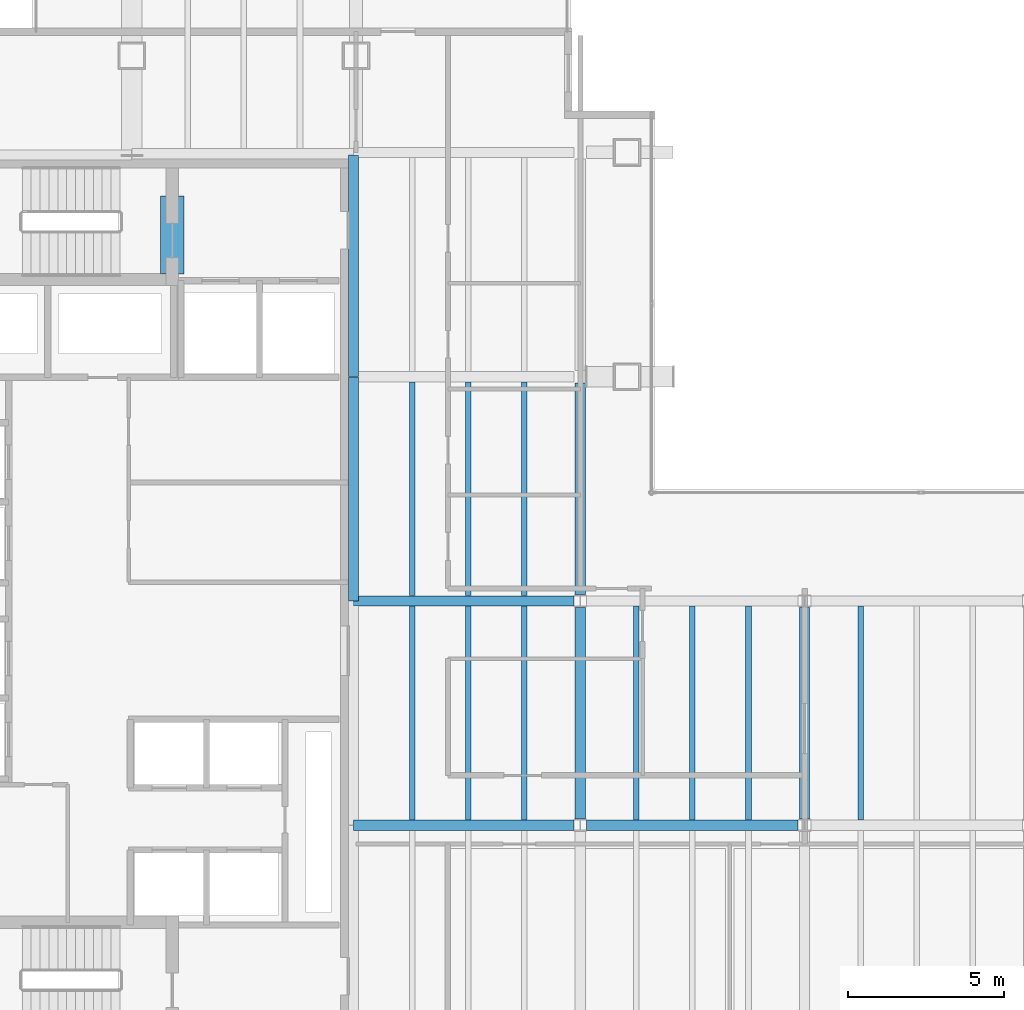
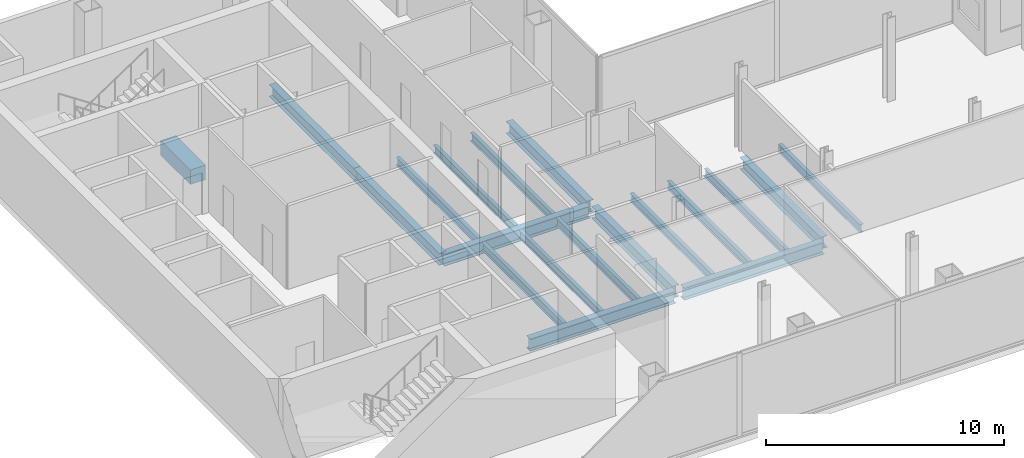
# One storey, part 5 of 20: 19 beams.
"""IFC4 building model written with IfcOpenShell, lengths in metres."""

from ifc_helpers import new_model, si_unit, direction, frame, origin, origin_2d, place, context, subcontext, project, spatial, rectangle, i_section, extrude, material, material_profile, profile_set, type_object, element, save


model = new_model("IFC4")

# Units and contexts
model_context = context("Model", 3, precision=1e-05, world=origin(), true_north=direction((0.0, 1.0)))
body_context = subcontext(model_context, "Body", "Model", "MODEL_VIEW")
ifc_project = project(units=[si_unit("LENGTHUNIT", "METRE"), si_unit("AREAUNIT", "SQUARE_METRE"), si_unit("VOLUMEUNIT", "CUBIC_METRE"), si_unit("PLANEANGLEUNIT", "RADIAN"), si_unit("MASSUNIT", "GRAM", prefix="KILO")], contexts=[model_context])

# Site, building, storey
site_placement = place(None, origin())
site = spatial("IfcSite", under=ifc_project, at=site_placement, CompositionType="ELEMENT")
building_placement = place(site_placement, origin())
building = spatial("IfcBuilding", under=site, at=building_placement, Name="Cobrela Telecom Tower", CompositionType="ELEMENT")
storey_placement = place(building_placement, frame((0.0, 0.0, 168.699951171875)))
storey = spatial("IfcBuildingStorey", under=building, at=storey_placement, Name="L42", CompositionType="ELEMENT", Elevation=168.699951171875)

# Beams
ifc_material_1 = material(Name="Concrete C40/50", Category="concrete")
ifc_material_profile_1 = material_profile(ifc_material_1, rectangle(XDim=0.75, YDim=0.75, at=origin_2d()), Name="RC 750x750")
ifc_profile_set_1 = profile_set([ifc_material_profile_1], Name="Concrete C40/50")
beam_type_1 = type_object("IfcBeamType", Name="BM-COUP-RC", PredefinedType="LINTEL", material=ifc_profile_set_1)
beam_1_placement = place(storey_placement, frame((8.5, 32.10009765625, -0.64990234375), z_axis=(0.0, 1.0, 0.0), x_axis=(-1.0, 0.0, 0.0)))
element("IfcBeam", 1, at=beam_1_placement, inside=storey, type_object=beam_type_1, Name="L42 Core Coupling Lintel Beam", PredefinedType="LINTEL", context=body_context, shape_type="SweptSolid", body=[
    extrude(rectangle(XDim=0.75, YDim=0.75, at=origin_2d()), origin(), (0.0, 0.0, 1.0), 2.5),
])
ifc_material_2 = material(Name="Steel ASTM A992 Grade 50", Category="steel")
ifc_material_profile_2 = material_profile(ifc_material_2, i_section(OverallWidth=0.327880859375, OverallDepth=0.6220703125, WebThickness=0.015380859375, FlangeThickness=0.0244140625, FilletRadius=0.014892578125, at=origin_2d()), Name="W24X131")
ifc_profile_set_2 = profile_set([ifc_material_profile_2], Name="Steel ASTM A992 Grade 50")
beam_type_2 = type_object("IfcBeamType", Name="BM-GIRD-06", PredefinedType="USERDEFINED", material=ifc_profile_set_2)
beam_2_placement = place(storey_placement, frame((14.324951171875, 14.39990234375, -0.61083984375), z_axis=(1.0, 0.0, 0.0), x_axis=(0.0, 1.0, 0.0)))
element("IfcBeam", 2, at=beam_2_placement, inside=storey, type_object=beam_type_2, Name="L42 Primary Girder X11", ObjectType="GIRDER", PredefinedType="USERDEFINED", context=body_context, shape_type="SweptSolid", body=[
    extrude(i_section(OverallWidth=0.327880859375, OverallDepth=0.6220703125, WebThickness=0.015380859375, FlangeThickness=0.0244140625, FilletRadius=0.014892578125, at=origin_2d()), origin(), (0.0, 0.0, 1.0), 7.070556640625),
])
beam_3_placement = place(storey_placement, frame((21.804443359375, 14.39990234375, -0.61083984375), z_axis=(1.0, 0.0, 0.0), x_axis=(0.0, 1.0, 0.0)))
element("IfcBeam", 3, at=beam_3_placement, inside=storey, type_object=beam_type_2, Name="L42 Primary Girder X12", ObjectType="GIRDER", PredefinedType="USERDEFINED", context=body_context, shape_type="SweptSolid", body=[
    extrude(i_section(OverallWidth=0.327880859375, OverallDepth=0.6220703125, WebThickness=0.015380859375, FlangeThickness=0.0244140625, FilletRadius=0.014892578125, at=origin_2d()), origin(), (0.0, 0.0, 1.0), 6.791015625),
])
beam_4_placement = place(storey_placement, frame((14.324951171875, 21.60009765625, -0.61083984375), z_axis=(1.0, 0.0, 0.0), x_axis=(0.0, 1.0, 0.0)))
element("IfcBeam", 4, at=beam_4_placement, inside=storey, type_object=beam_type_2, Name="L42 Primary Girder X15", ObjectType="GIRDER", PredefinedType="USERDEFINED", context=body_context, shape_type="SweptSolid", body=[
    extrude(i_section(OverallWidth=0.327880859375, OverallDepth=0.6220703125, WebThickness=0.015380859375, FlangeThickness=0.0244140625, FilletRadius=0.014892578125, at=origin_2d()), origin(), (0.0, 0.0, 1.0), 7.070556640625),
])
beam_5_placement = place(storey_placement, frame((14.320068359375, 21.60498046875, -0.61083984375), z_axis=(0.0, 1.0, 0.0), x_axis=(-1.0, 0.0, 0.0)))
element("IfcBeam", 5, at=beam_5_placement, inside=storey, type_object=beam_type_2, Name="L42 Primary Girder Y28", ObjectType="GIRDER", PredefinedType="USERDEFINED", context=body_context, shape_type="SweptSolid", body=[
    extrude(i_section(OverallWidth=0.327880859375, OverallDepth=0.6220703125, WebThickness=0.015380859375, FlangeThickness=0.0244140625, FilletRadius=0.014892578125, at=origin_2d()), origin(), (0.0, 0.0, 1.0), 7.18994140625),
])
beam_6_placement = place(storey_placement, frame((14.320068359375, 28.804931640625, -0.61083984375), z_axis=(0.0, 1.0, 0.0), x_axis=(-1.0, 0.0, 0.0)))
element("IfcBeam", 6, at=beam_6_placement, inside=storey, type_object=beam_type_2, Name="L42 Primary Girder Y29", ObjectType="GIRDER", PredefinedType="USERDEFINED", context=body_context, shape_type="SweptSolid", body=[
    extrude(i_section(OverallWidth=0.327880859375, OverallDepth=0.6220703125, WebThickness=0.015380859375, FlangeThickness=0.0244140625, FilletRadius=0.014892578125, at=origin_2d()), origin(), (0.0, 0.0, 1.0), 7.110107421875),
])
for number, where, z_axis, x_axis, name in (
    (7, (21.60009765625, 14.6044921875, -0.61083984375), (0.0, 1.0, 0.0), (-1.0, 0.0, 0.0), "L42 Primary Girder Y32"),
    (8, (21.60009765625, 21.804443359375, -0.61083984375), (0.0, 1.0, 0.0), (-1.0, 0.0, 0.0), "L42 Primary Girder Y33"),
    (9, (28.800048828125, 14.6044921875, -0.61083984375), (0.0, 1.0, 0.0), (-1.0, 0.0, 0.0), "L42 Primary Girder Y37"),
):
    element("IfcBeam", number, at=place(storey_placement, frame(where, z_axis=z_axis, x_axis=x_axis)), inside=storey, type_object=beam_type_2, Name=name, ObjectType="GIRDER", PredefinedType="USERDEFINED", context=body_context, shape_type="SweptSolid", body=[
        extrude(i_section(OverallWidth=0.327880859375, OverallDepth=0.6220703125, WebThickness=0.015380859375, FlangeThickness=0.0244140625, FilletRadius=0.014892578125, at=origin_2d()), origin(), (0.0, 0.0, 1.0), 6.791015625),
    ])
ifc_material_profile_3 = material_profile(ifc_material_2, i_section(OverallWidth=0.179931640625, OverallDepth=0.4169921875, WebThickness=0.010986328125, FlangeThickness=0.01806640625, FilletRadius=0.011962890625, at=origin_2d()), Name="W16X57")
ifc_profile_set_3 = profile_set([ifc_material_profile_3], Name="Steel ASTM A992 Grade 50")
beam_type_3 = type_object("IfcBeamType", Name="BM-JOIST-04", PredefinedType="JOIST", material=ifc_profile_set_3)
beam_7_placement = place(storey_placement, frame((16.199951171875, 14.569091796875, -0.508544921875), z_axis=(0.0, 1.0, 0.0), x_axis=(-1.0, 0.0, 0.0)))
element("IfcBeam", 10, at=beam_7_placement, inside=storey, type_object=beam_type_3, Name="L42 Secondary Composite Floor Beam J05", PredefinedType="JOIST", context=body_context, shape_type="SweptSolid", body=[
    extrude(i_section(OverallWidth=0.179931640625, OverallDepth=0.4169921875, WebThickness=0.010986328125, FlangeThickness=0.01806640625, FilletRadius=0.011962890625, at=origin_2d()), origin(), (0.0, 0.0, 1.0), 6.86181640625),
])
beam_8_placement = place(storey_placement, frame((16.199951171875, 21.76904296875, -0.508544921875), z_axis=(0.0, 1.0, 0.0), x_axis=(-1.0, 0.0, 0.0)))
element("IfcBeam", 11, at=beam_8_placement, inside=storey, type_object=beam_type_3, Name="L42 Secondary Composite Floor Beam J06", PredefinedType="JOIST", context=body_context, shape_type="SweptSolid", body=[
    extrude(i_section(OverallWidth=0.179931640625, OverallDepth=0.4169921875, WebThickness=0.010986328125, FlangeThickness=0.01806640625, FilletRadius=0.011962890625, at=origin_2d()), origin(), (0.0, 0.0, 1.0), 6.862060546875),
])
beam_9_placement = place(storey_placement, frame((18.0, 14.569091796875, -0.508544921875), z_axis=(0.0, 1.0, 0.0), x_axis=(-1.0, 0.0, 0.0)))
element("IfcBeam", 12, at=beam_9_placement, inside=storey, type_object=beam_type_3, Name="L42 Secondary Composite Floor Beam J09", PredefinedType="JOIST", context=body_context, shape_type="SweptSolid", body=[
    extrude(i_section(OverallWidth=0.179931640625, OverallDepth=0.4169921875, WebThickness=0.010986328125, FlangeThickness=0.01806640625, FilletRadius=0.011962890625, at=origin_2d()), origin(), (0.0, 0.0, 1.0), 6.86181640625),
])
beam_10_placement = place(storey_placement, frame((18.0, 21.76904296875, -0.508544921875), z_axis=(0.0, 1.0, 0.0), x_axis=(-1.0, 0.0, 0.0)))
element("IfcBeam", 13, at=beam_10_placement, inside=storey, type_object=beam_type_3, Name="L42 Secondary Composite Floor Beam J10", PredefinedType="JOIST", context=body_context, shape_type="SweptSolid", body=[
    extrude(i_section(OverallWidth=0.179931640625, OverallDepth=0.4169921875, WebThickness=0.010986328125, FlangeThickness=0.01806640625, FilletRadius=0.011962890625, at=origin_2d()), origin(), (0.0, 0.0, 1.0), 6.862060546875),
])
beam_11_placement = place(storey_placement, frame((19.800048828125, 14.569091796875, -0.508544921875), z_axis=(0.0, 1.0, 0.0), x_axis=(-1.0, 0.0, 0.0)))
element("IfcBeam", 14, at=beam_11_placement, inside=storey, type_object=beam_type_3, Name="L42 Secondary Composite Floor Beam J13", PredefinedType="JOIST", context=body_context, shape_type="SweptSolid", body=[
    extrude(i_section(OverallWidth=0.179931640625, OverallDepth=0.4169921875, WebThickness=0.010986328125, FlangeThickness=0.01806640625, FilletRadius=0.011962890625, at=origin_2d()), origin(), (0.0, 0.0, 1.0), 6.86181640625),
])
beam_12_placement = place(storey_placement, frame((19.800048828125, 21.76904296875, -0.508544921875), z_axis=(0.0, 1.0, 0.0), x_axis=(-1.0, 0.0, 0.0)))
element("IfcBeam", 15, at=beam_12_placement, inside=storey, type_object=beam_type_3, Name="L42 Secondary Composite Floor Beam J14", PredefinedType="JOIST", context=body_context, shape_type="SweptSolid", body=[
    extrude(i_section(OverallWidth=0.179931640625, OverallDepth=0.4169921875, WebThickness=0.010986328125, FlangeThickness=0.01806640625, FilletRadius=0.011962890625, at=origin_2d()), origin(), (0.0, 0.0, 1.0), 6.862060546875),
])
for number, where, z_axis, x_axis, name in (
    (16, (23.39990234375, 14.569091796875, -0.508544921875), (0.0, 1.0, 0.0), (-1.0, 0.0, 0.0), "L42 Secondary Composite Floor Beam J17"),
    (17, (25.199951171875, 14.569091796875, -0.508544921875), (0.0, 1.0, 0.0), (-1.0, 0.0, 0.0), "L42 Secondary Composite Floor Beam J19"),
    (18, (27.0, 14.569091796875, -0.508544921875), (0.0, 1.0, 0.0), (-1.0, 0.0, 0.0), "L42 Secondary Composite Floor Beam J21"),
    (19, (30.60009765625, 14.569091796875, -0.508544921875), (0.0, 1.0, 0.0), (-1.0, 0.0, 0.0), "L42 Secondary Composite Floor Beam J23"),
):
    element("IfcBeam", number, at=place(storey_placement, frame(where, z_axis=z_axis, x_axis=x_axis)), inside=storey, type_object=beam_type_3, Name=name, PredefinedType="JOIST", context=body_context, shape_type="SweptSolid", body=[
        extrude(i_section(OverallWidth=0.179931640625, OverallDepth=0.4169921875, WebThickness=0.010986328125, FlangeThickness=0.01806640625, FilletRadius=0.011962890625, at=origin_2d()), origin(), (0.0, 0.0, 1.0), 6.86181640625),
    ])

save(model, "model.ifc")
